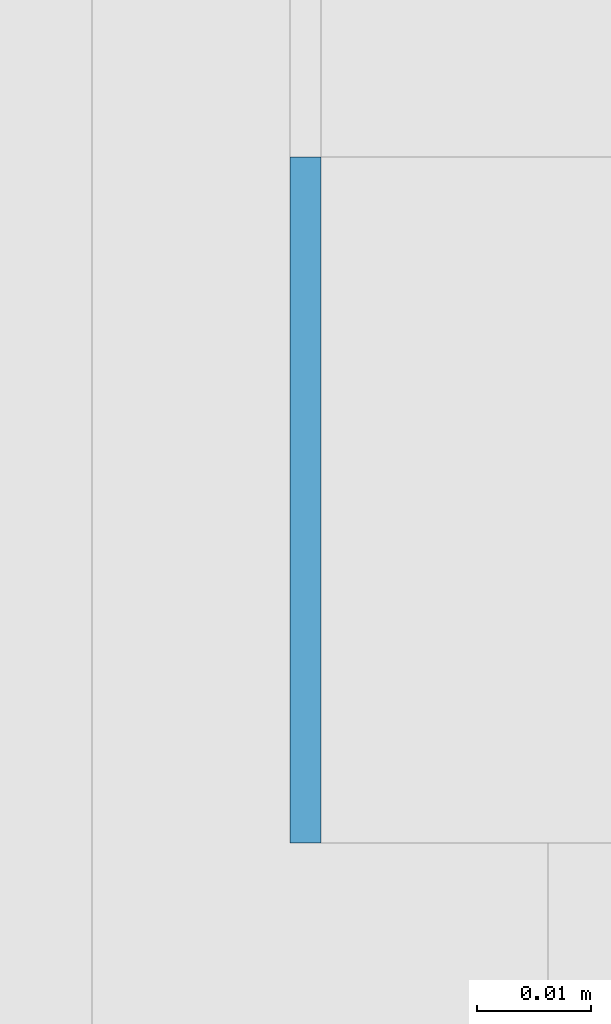
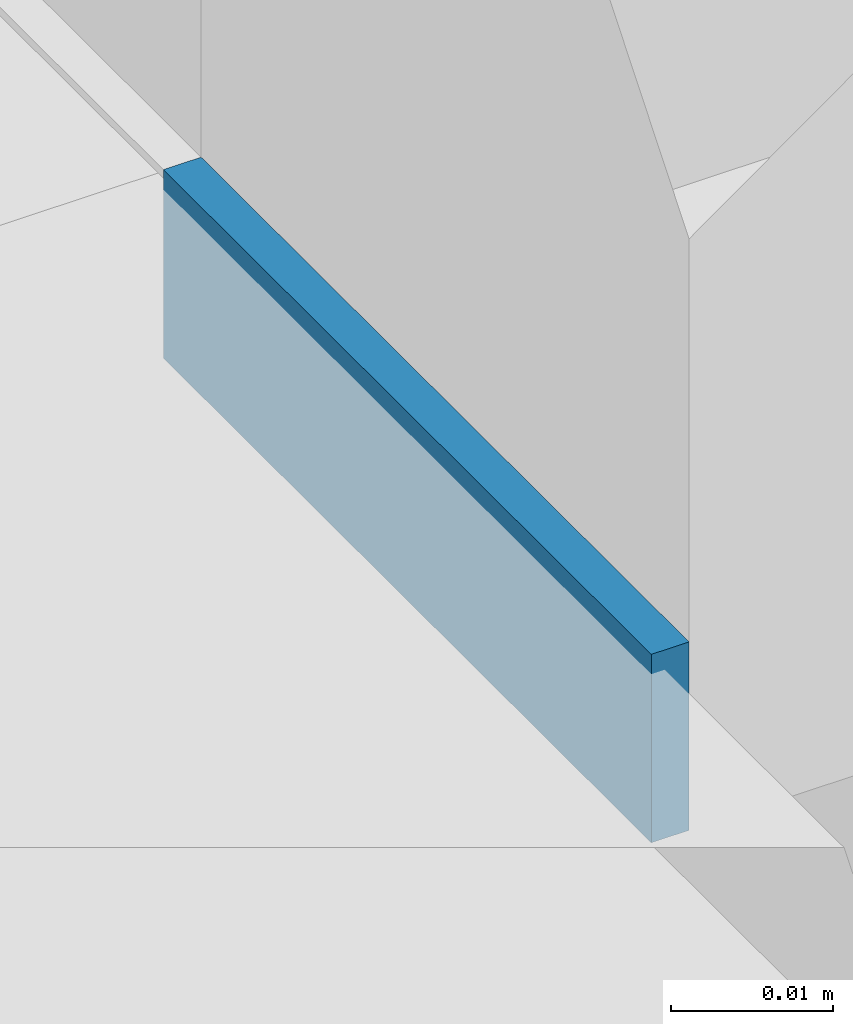
# One storey, part 492 of 646: 1 discrete accessory.
"""IFC4 building model written with IfcOpenShell, lengths in metres."""

from ifc_helpers import new_model, si_unit, direction, frame, origin, origin_2d, place, context, subcontext, project, spatial, rectangle, extrude, material, type_object, element, save


model = new_model("IFC4")

# Units and contexts
model_context = context("Model", 3, precision=1e-05, world=origin(), true_north=direction((0.0, 1.0)))
body_context = subcontext(model_context, "Body", "Model", "MODEL_VIEW")
ifc_project = project(units=[si_unit("LENGTHUNIT", "METRE"), si_unit("AREAUNIT", "SQUARE_METRE"), si_unit("VOLUMEUNIT", "CUBIC_METRE"), si_unit("PLANEANGLEUNIT", "RADIAN"), si_unit("MASSUNIT", "GRAM", prefix="KILO")], contexts=[model_context])

# Site, building, storey
site_placement = place(None, origin())
site = spatial("IfcSite", under=ifc_project, at=site_placement, CompositionType="ELEMENT")
building_placement = place(site_placement, origin())
building = spatial("IfcBuilding", under=site, at=building_placement, Name="Silverbay Arena", CompositionType="ELEMENT")
storey_placement = place(building_placement, frame((0.0, 0.0, 33.5)))
storey = spatial("IfcBuildingStorey", under=building, at=storey_placement, Name="L05", CompositionType="ELEMENT", Elevation=33.5)

# Discrete accessory
ifc_material = material(Name="Steel S355", Category="steel")
discrete_accessory_type = type_object("IfcDiscreteAccessoryType", Name="Steel bracket plate", PredefinedType="BRACKET", material=ifc_material)
discrete_accessory_placement = place(storey_placement, frame((207.128662109375, 62.969970703125, 4.0), z_axis=(0.0, 0.0, 1.0), x_axis=(1.0, 0.0, 0.0)))
element("IfcDiscreteAccessory", 1, at=discrete_accessory_placement, inside=storey, type_object=discrete_accessory_type, Name="Curtain wall packing plate", PredefinedType="BRACKET", context=body_context, shape_type="SweptSolid", body=[
    extrude(rectangle(XDim=0.002685546875, YDim=0.06005859375, at=origin_2d()), origin(), (0.0, 0.0, 1.0), 0.01416015625),
])

save(model, "model.ifc")
